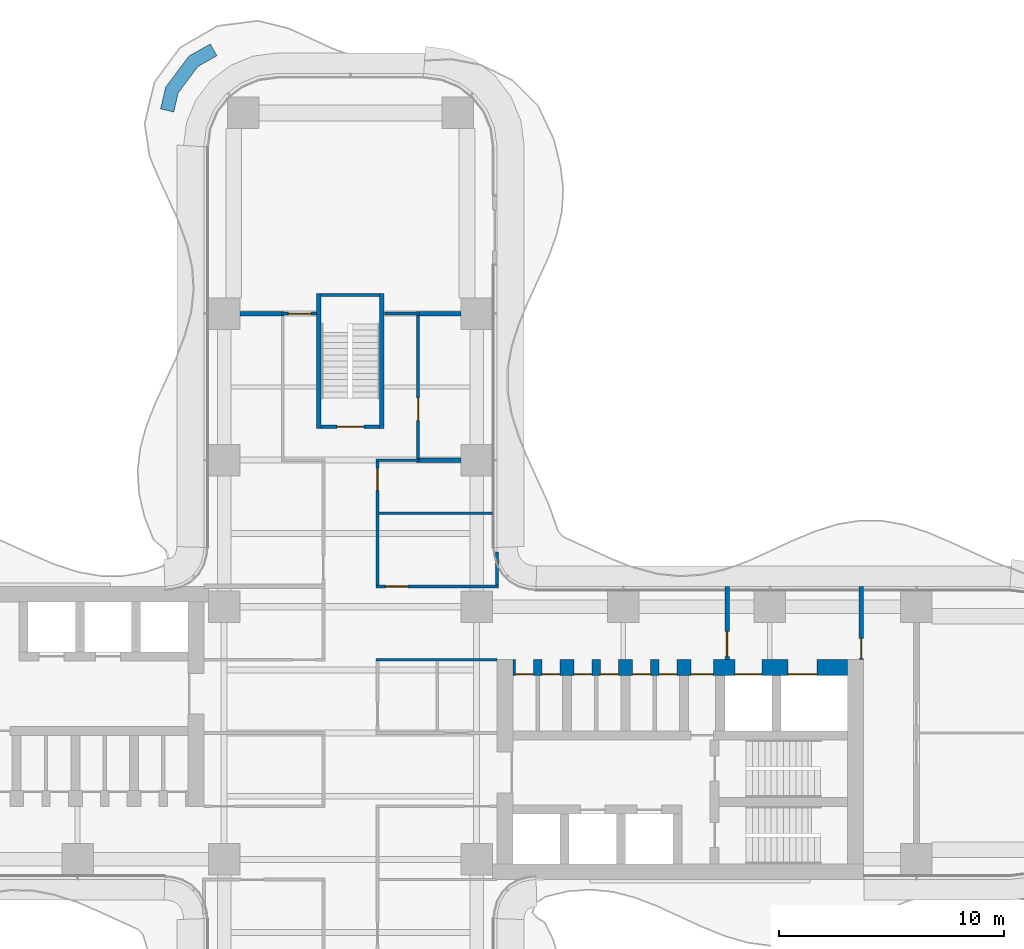
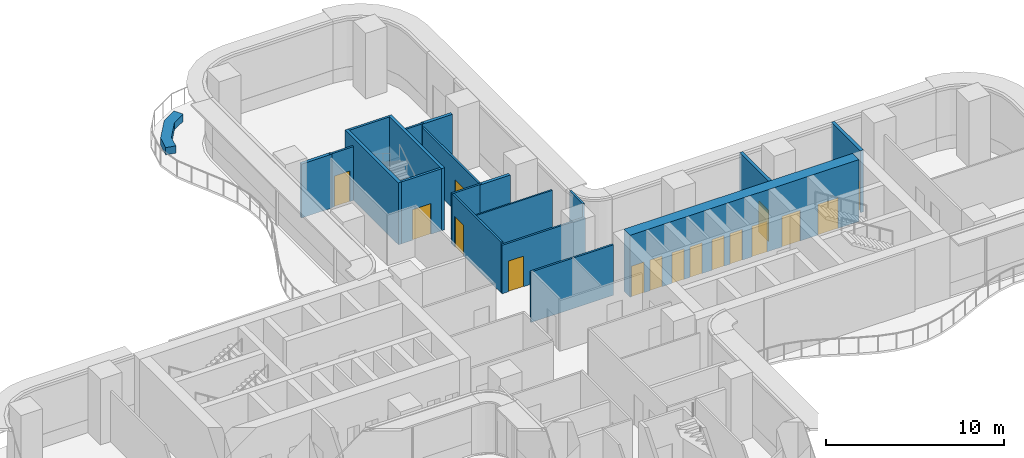
# One storey, part 19 of 22: 20 walls, 16 doors, 16 openings.
"""IFC4 building model written with IfcOpenShell, lengths in metres."""

from ifc_helpers import new_model, si_unit, direction, frame, frame_2d, origin, place, context, subcontext, project, spatial, polyline, rectangle, outline, extrude, source, transform, mapped, material, layer, layer_set, type_object, element, fill, save


model = new_model("IFC4")

# Units and contexts
model_context = context("Model", 3, precision=1e-05, world=origin(), true_north=direction((0.0, 1.0)))
body_context = subcontext(model_context, "Body", "Model", "MODEL_VIEW")
ifc_project = project(units=[si_unit("LENGTHUNIT", "METRE"), si_unit("AREAUNIT", "SQUARE_METRE"), si_unit("VOLUMEUNIT", "CUBIC_METRE"), si_unit("PLANEANGLEUNIT", "RADIAN"), si_unit("MASSUNIT", "GRAM", prefix="KILO")], contexts=[model_context])

# Site, building, storey
site_placement = place(None, origin())
site = spatial("IfcSite", under=ifc_project, at=site_placement, CompositionType="ELEMENT")
building_placement = place(site_placement, origin())
building = spatial("IfcBuilding", under=site, at=building_placement, Name="Trellis Farm Tower", CompositionType="ELEMENT")
storey_placement = place(building_placement, frame((0.0, 0.0, 47.5)))
storey = spatial("IfcBuildingStorey", under=building, at=storey_placement, Name="L09", CompositionType="ELEMENT", Elevation=47.5)

# Wall
ifc_material_1 = material(Name="Sandstone faced masonry planter", Category="masonry")
ifc_layer_1 = layer(ifc_material_1, 0.60009765625)
ifc_layer_set_1 = layer_set([ifc_layer_1], Name="PLANTER BED 600")
wall_type_1 = type_object("IfcWallType", Name="PLANTER BED 600", PredefinedType="USERDEFINED", material=ifc_layer_set_1)
wall_1_placement = place(storey_placement, origin())
element("IfcWall", 1, at=wall_1_placement, inside=storey, type_object=wall_type_1, Name="PLANTER bed", ObjectType="PLANTER", PredefinedType="USERDEFINED", context=body_context, shape_type="SweptSolid", body=[
    extrude(outline(polyline([(-7.162841796875, 30.021484375), (-6.214599609375, 30.555908203125), (-5.919921875, 30.033447265625), (-6.7578125, 29.56103515625), (-7.636474609375, 28.38427734375), (-7.83544921875, 27.54052734375), (-8.41943359375, 27.678466796875), (-8.191650390625, 28.643310546875), (-7.162841796875, 30.021484375)])), origin(), (0.0, 0.0, 1.0), 0.5),
])

# Wall, opening, door
ifc_material_2 = material(Name="Masonry blockwork", Category="masonry")
ifc_layer_2 = layer(ifc_material_2, 0.199951171875)
ifc_layer_set_2 = layer_set([ifc_layer_2], Name="FIRE LOBBY PARTITION 200 BLOCKWORK")
wall_type_2 = type_object("IfcWallType", Name="FIRE LOBBY PARTITION 200 BLOCKWORK", PredefinedType="PARTITIONING", material=ifc_layer_set_2)
shared_shape_1 = source(origin(), body_context, "Body", "SweptSolid", [
    extrude(rectangle(XDim=3.25, YDim=0.199951171875, at=frame_2d((1.625, 0.0))), origin(), (0.0, 0.0, 1.0), 4.25),
])
wall_2_placement = place(storey_placement, frame((16.699951171875, 3.25, 0.0), z_axis=(0.0, 0.0, 1.0), x_axis=(0.0, 1.0, 0.0)))
wall_2 = element("IfcWall", 2, at=wall_2_placement, inside=storey, type_object=wall_type_2, Name="Fire-fighting lobby partition", PredefinedType="PARTITIONING", context=body_context, shape_type="MappedRepresentation", body=[
    mapped(shared_shape_1, transform((0.0, 0.0, 0.0))),
])
shared_shape_2 = source(origin(), body_context, "Body", "SweptSolid", [
    extrude(rectangle(XDim=1.10009765625, YDim=2.10009765625, at=frame_2d((0.550048828125, 1.050048828125))), frame((0.0, 0.110107421875, 0.0), z_axis=(0.0, -1.0, 0.0), x_axis=(1.0, 0.0, 0.0)), (0.0, 0.0, 1.0), 0.22021484375),
])
opening_1_placement = place(wall_2_placement, frame((0.14990234375, 0.0, 0.0)))
opening_1 = element("IfcOpeningElement", 3, at=opening_1_placement, cuts=wall_2, Name="Opening DC7", PredefinedType="OPENING", context=body_context, shape_type="MappedRepresentation", body=[
    mapped(shared_shape_2, transform((0.0, 0.0, 0.0))),
])
ifc_material_3 = material(Name="Steel", Category="steel")
door_type_1 = type_object("IfcDoorType", Name="CORE FIRE DOOR 1100 X 2100", OperationType="NOTDEFINED", PredefinedType="DOOR", material=ifc_material_3)
shared_shape_3 = source(origin(), body_context, "Body", "SweptSolid", [
    extrude(rectangle(XDim=1.10009765625, YDim=2.10009765625, at=frame_2d((0.550048828125, 1.050048828125))), frame((0.0, 0.02490234375, 0.0), z_axis=(0.0, -1.0, 0.0), x_axis=(1.0, 0.0, 0.0)), (0.0, 0.0, 1.0), 0.050048828125),
])
door_1_placement = place(opening_1_placement, origin())
door_1 = element("IfcDoor", 4, at=door_1_placement, inside=storey, type_object=door_type_1, Name="Core door", OperationType="SINGLE_SWING_RIGHT", OverallHeight=2.10009765625, OverallWidth=1.10009765625, PredefinedType="DOOR", context=body_context, shape_type="MappedRepresentation", body=[
    mapped(shared_shape_3, transform((0.0, 0.0, 0.0))),
])
fill(opening_1, door_1)

wall_3_placement = place(storey_placement, frame((22.64990234375, 3.25, 0.0), z_axis=(0.0, 0.0, 1.0), x_axis=(0.0, 1.0, 0.0)))
wall_3 = element("IfcWall", 5, at=wall_3_placement, inside=storey, type_object=wall_type_2, Name="Fire-fighting lobby partition", PredefinedType="PARTITIONING", context=body_context, shape_type="MappedRepresentation", body=[
    mapped(shared_shape_1, transform((0.0, 0.0, 0.0))),
])
shared_shape_4 = source(origin(), body_context, "Body", "SweptSolid", [
    extrude(rectangle(XDim=0.89990234375, YDim=2.10009765625, at=frame_2d((0.449951171875, 1.050048828125))), frame((0.0, 0.110107421875, 0.0), z_axis=(0.0, -1.0, 0.0), x_axis=(1.0, 0.0, 0.0)), (0.0, 0.0, 1.0), 0.22021484375),
])
opening_2_placement = place(wall_3_placement, frame((0.050048828125, 0.0, 0.0)))
opening_2 = element("IfcOpeningElement", 6, at=opening_2_placement, cuts=wall_3, Name="Opening DC8", PredefinedType="OPENING", context=body_context, shape_type="MappedRepresentation", body=[
    mapped(shared_shape_4, transform((0.0, 0.0, 0.0))),
])
door_type_2 = type_object("IfcDoorType", Name="CORE FIRE DOOR 900 X 2100", OperationType="NOTDEFINED", PredefinedType="DOOR", material=ifc_material_3)
shared_shape_5 = source(origin(), body_context, "Body", "SweptSolid", [
    extrude(rectangle(XDim=0.89990234375, YDim=2.10009765625, at=frame_2d((0.449951171875, 1.050048828125))), frame((0.0, 0.02490234375, 0.0), z_axis=(0.0, -1.0, 0.0), x_axis=(1.0, 0.0, 0.0)), (0.0, 0.0, 1.0), 0.050048828125),
])
door_2_placement = place(opening_2_placement, origin())
door_2 = element("IfcDoor", 7, at=door_2_placement, inside=storey, type_object=door_type_2, Name="Core door", OperationType="SINGLE_SWING_RIGHT", OverallHeight=2.10009765625, OverallWidth=0.89990234375, PredefinedType="DOOR", context=body_context, shape_type="MappedRepresentation", body=[
    mapped(shared_shape_5, transform((0.0, 0.0, 0.0))),
])
fill(opening_2, door_2)

# Wall, openings, doors
ifc_material_4 = material(Name="Concrete C80/95", Category="concrete")
ifc_layer_3 = layer(ifc_material_4, 0.699951171875)
ifc_layer_set_3 = layer_set([ifc_layer_3], Name="CORE OUTER WALL 700 CONCRETE C80/95")
wall_type_3 = type_object("IfcWallType", Name="CORE OUTER WALL 700 CONCRETE C80/95", PredefinedType="SHEAR", material=ifc_layer_set_3)
shared_shape_6 = source(origin(), body_context, "Body", "SweptSolid", [
    extrude(rectangle(XDim=14.85009765625, YDim=0.699951171875, at=frame_2d((7.425048828125, 0.0))), origin(), (0.0, 0.0, 1.0), 4.25),
])
wall_4_placement = place(storey_placement, frame((7.199951171875, 2.89990234375, 0.0), z_axis=(0.0, 0.0, 1.0), x_axis=(1.0, 0.0, 0.0)))
wall_4 = element("IfcWall", 8, at=wall_4_placement, inside=storey, type_object=wall_type_3, Name="Core wall", PredefinedType="SHEAR", context=body_context, shape_type="MappedRepresentation", body=[
    mapped(shared_shape_6, transform((0.0, 0.0, 0.0))),
])
shared_shape_7 = source(origin(), body_context, "Body", "SweptSolid", [
    extrude(rectangle(XDim=1.300048828125, YDim=2.10009765625, at=frame_2d((0.64990234375, 1.050048828125))), frame((0.0, 0.360107421875, 0.0), z_axis=(0.0, -1.0, 0.0), x_axis=(1.0, 0.0, 0.0)), (0.0, 0.0, 1.0), 0.72021484375),
])
opening_3_placement = place(wall_4_placement, frame((12.199951171875, 0.0, 0.0)))
opening_3 = element("IfcOpeningElement", 9, at=opening_3_placement, cuts=wall_4, Name="Opening LD7", PredefinedType="OPENING", context=body_context, shape_type="MappedRepresentation", body=[
    mapped(shared_shape_7, transform((0.0, 0.0, 0.0))),
])
shared_shape_8 = source(origin(), body_context, "Body", "SweptSolid", [
    extrude(rectangle(XDim=1.199951171875, YDim=2.10009765625, at=frame_2d((0.60009765625, 1.050048828125))), frame((0.0, 0.360107421875, 0.0), z_axis=(0.0, -1.0, 0.0), x_axis=(1.0, 0.0, 0.0)), (0.0, 0.0, 1.0), 0.72021484375),
])
opening_4_placement = place(wall_4_placement, frame((9.85009765625, 0.0, 0.0)))
opening_4 = element("IfcOpeningElement", 10, at=opening_4_placement, cuts=wall_4, Name="Opening LD8", PredefinedType="OPENING", context=body_context, shape_type="MappedRepresentation", body=[
    mapped(shared_shape_8, transform((0.0, 0.0, 0.0))),
])
shared_shape_9 = source(origin(), body_context, "Body", "SweptSolid", [
    extrude(rectangle(XDim=1.0, YDim=2.10009765625, at=frame_2d((0.5, 1.050048828125))), frame((0.0, 0.360107421875, 0.0), z_axis=(0.0, -1.0, 0.0), x_axis=(1.0, 0.0, 0.0)), (0.0, 0.0, 1.0), 0.72021484375),
])
opening_5_placement = place(wall_4_placement, frame((7.89990234375, 0.0, 0.0)))
opening_5 = element("IfcOpeningElement", 11, at=opening_5_placement, cuts=wall_4, Name="Opening DC6", PredefinedType="OPENING", context=body_context, shape_type="MappedRepresentation", body=[
    mapped(shared_shape_9, transform((0.0, 0.0, 0.0))),
])
shared_shape_10 = source(origin(), body_context, "Body", "SweptSolid", [
    extrude(rectangle(XDim=0.800048828125, YDim=2.10009765625, at=frame_2d((0.39990234375, 1.050048828125))), frame((0.0, 0.360107421875, 0.0), z_axis=(0.0, -1.0, 0.0), x_axis=(1.0, 0.0, 0.0)), (0.0, 0.0, 1.0), 0.72021484375),
])
opening_6_placement = place(wall_4_placement, frame((0.112548828125, 0.0, 0.0)))
opening_6 = element("IfcOpeningElement", 12, at=opening_6_placement, cuts=wall_4, Name="Opening DC9", PredefinedType="OPENING", context=body_context, shape_type="MappedRepresentation", body=[
    mapped(shared_shape_10, transform((0.0, 0.0, 0.0))),
])
opening_7_placement = place(wall_4_placement, frame((1.28759765625, 0.0, 0.0)))
opening_7 = element("IfcOpeningElement", 13, at=opening_7_placement, cuts=wall_4, Name="Opening DC16", PredefinedType="OPENING", context=body_context, shape_type="MappedRepresentation", body=[
    mapped(shared_shape_10, transform((0.0, 0.0, 0.0))),
])
opening_8_placement = place(wall_4_placement, frame((2.71240234375, 0.0, 0.0)))
opening_8 = element("IfcOpeningElement", 14, at=opening_8_placement, cuts=wall_4, Name="Opening DC21", PredefinedType="OPENING", context=body_context, shape_type="MappedRepresentation", body=[
    mapped(shared_shape_10, transform((0.0, 0.0, 0.0))),
])
opening_9_placement = place(wall_4_placement, frame((3.887451171875, 0.0, 0.0)))
opening_9 = element("IfcOpeningElement", 15, at=opening_9_placement, cuts=wall_4, Name="Opening DC28", PredefinedType="OPENING", context=body_context, shape_type="MappedRepresentation", body=[
    mapped(shared_shape_10, transform((0.0, 0.0, 0.0))),
])
opening_10_placement = place(wall_4_placement, frame((5.3125, 0.0, 0.0)))
opening_10 = element("IfcOpeningElement", 16, at=opening_10_placement, cuts=wall_4, Name="Opening DC33", PredefinedType="OPENING", context=body_context, shape_type="MappedRepresentation", body=[
    mapped(shared_shape_10, transform((0.0, 0.0, 0.0))),
])
opening_11_placement = place(wall_4_placement, frame((6.487548828125, 0.0, 0.0)))
opening_11 = element("IfcOpeningElement", 17, at=opening_11_placement, cuts=wall_4, Name="Opening DC40", PredefinedType="OPENING", context=body_context, shape_type="MappedRepresentation", body=[
    mapped(shared_shape_10, transform((0.0, 0.0, 0.0))),
])
door_type_3 = type_object("IfcDoorType", Name="CORE FIRE DOOR 1000 X 2100", OperationType="NOTDEFINED", PredefinedType="DOOR", material=ifc_material_3)
shared_shape_11 = source(origin(), body_context, "Body", "SweptSolid", [
    extrude(rectangle(XDim=1.0, YDim=2.10009765625, at=frame_2d((0.5, 1.050048828125))), frame((0.0, -0.27490234375, 0.0), z_axis=(0.0, -1.0, 0.0), x_axis=(1.0, 0.0, 0.0)), (0.0, 0.0, 1.0), 0.050048828125),
])
door_3_placement = place(opening_5_placement, origin())
door_3 = element("IfcDoor", 18, at=door_3_placement, inside=storey, type_object=door_type_3, Name="Core door", OperationType="SINGLE_SWING_LEFT", OverallHeight=2.10009765625, OverallWidth=1.0, PredefinedType="DOOR", context=body_context, shape_type="MappedRepresentation", body=[
    mapped(shared_shape_11, transform((0.0, 0.0, 0.0))),
])
fill(opening_5, door_3)
ifc_material_5 = material(Name="Stainless steel", Category="steel")
door_type_4 = type_object("IfcDoorType", Name="LIFT LANDING DOOR 1300 X 2100", OperationType="DOUBLE_DOOR_SLIDING", PredefinedType="DOOR", material=ifc_material_5)
shared_shape_12 = source(origin(), body_context, "Body", "SweptSolid", [
    extrude(rectangle(XDim=1.300048828125, YDim=2.10009765625, at=frame_2d((0.64990234375, 1.050048828125))), frame((0.0, -0.27490234375, 0.0), z_axis=(0.0, -1.0, 0.0), x_axis=(1.0, 0.0, 0.0)), (0.0, 0.0, 1.0), 0.050048828125),
])
door_4_placement = place(opening_3_placement, origin())
door_4 = element("IfcDoor", 19, at=door_4_placement, inside=storey, type_object=door_type_4, Name="Lift landing door", OperationType="DOUBLE_DOOR_SLIDING", OverallHeight=2.10009765625, OverallWidth=1.300048828125, PredefinedType="DOOR", context=body_context, shape_type="MappedRepresentation", body=[
    mapped(shared_shape_12, transform((0.0, 0.0, 0.0))),
])
fill(opening_3, door_4)
door_type_5 = type_object("IfcDoorType", Name="LIFT LANDING DOOR 1200 X 2100", OperationType="DOUBLE_DOOR_SLIDING", PredefinedType="DOOR", material=ifc_material_5)
shared_shape_13 = source(origin(), body_context, "Body", "SweptSolid", [
    extrude(rectangle(XDim=1.199951171875, YDim=2.10009765625, at=frame_2d((0.60009765625, 1.050048828125))), frame((0.0, -0.27490234375, 0.0), z_axis=(0.0, -1.0, 0.0), x_axis=(1.0, 0.0, 0.0)), (0.0, 0.0, 1.0), 0.050048828125),
])
door_5_placement = place(opening_4_placement, origin())
door_5 = element("IfcDoor", 20, at=door_5_placement, inside=storey, type_object=door_type_5, Name="Lift landing door", OperationType="DOUBLE_DOOR_SLIDING", OverallHeight=2.10009765625, OverallWidth=1.199951171875, PredefinedType="DOOR", context=body_context, shape_type="MappedRepresentation", body=[
    mapped(shared_shape_13, transform((0.0, 0.0, 0.0))),
])
fill(opening_4, door_5)
door_type_6 = type_object("IfcDoorType", Name="CORE FIRE DOOR 800 X 2100", OperationType="NOTDEFINED", PredefinedType="DOOR", material=ifc_material_3)
shared_shape_14 = source(origin(), body_context, "Body", "SweptSolid", [
    extrude(rectangle(XDim=0.800048828125, YDim=2.10009765625, at=frame_2d((0.39990234375, 1.050048828125))), frame((0.0, -0.27490234375, 0.0), z_axis=(0.0, -1.0, 0.0), x_axis=(1.0, 0.0, 0.0)), (0.0, 0.0, 1.0), 0.050048828125),
])
door_6_placement = place(opening_6_placement, origin())
door_6 = element("IfcDoor", 21, at=door_6_placement, inside=storey, type_object=door_type_6, Name="Core door", OperationType="SINGLE_SWING_LEFT", OverallHeight=2.10009765625, OverallWidth=0.800048828125, PredefinedType="DOOR", context=body_context, shape_type="MappedRepresentation", body=[
    mapped(shared_shape_14, transform((0.0, 0.0, 0.0))),
])
fill(opening_6, door_6)
door_7_placement = place(opening_7_placement, origin())
door_7 = element("IfcDoor", 22, at=door_7_placement, inside=storey, type_object=door_type_6, Name="Core door", OperationType="SINGLE_SWING_RIGHT", OverallHeight=2.10009765625, OverallWidth=0.800048828125, PredefinedType="DOOR", context=body_context, shape_type="MappedRepresentation", body=[
    mapped(shared_shape_14, transform((0.0, 0.0, 0.0))),
])
fill(opening_7, door_7)
door_8_placement = place(opening_8_placement, origin())
door_8 = element("IfcDoor", 23, at=door_8_placement, inside=storey, type_object=door_type_6, Name="Core door", OperationType="SINGLE_SWING_LEFT", OverallHeight=2.10009765625, OverallWidth=0.800048828125, PredefinedType="DOOR", context=body_context, shape_type="MappedRepresentation", body=[
    mapped(shared_shape_14, transform((0.0, 0.0, 0.0))),
])
fill(opening_8, door_8)
door_9_placement = place(opening_9_placement, origin())
door_9 = element("IfcDoor", 24, at=door_9_placement, inside=storey, type_object=door_type_6, Name="Core door", OperationType="SINGLE_SWING_RIGHT", OverallHeight=2.10009765625, OverallWidth=0.800048828125, PredefinedType="DOOR", context=body_context, shape_type="MappedRepresentation", body=[
    mapped(shared_shape_14, transform((0.0, 0.0, 0.0))),
])
fill(opening_9, door_9)
door_10_placement = place(opening_10_placement, origin())
door_10 = element("IfcDoor", 25, at=door_10_placement, inside=storey, type_object=door_type_6, Name="Core door", OperationType="SINGLE_SWING_LEFT", OverallHeight=2.10009765625, OverallWidth=0.800048828125, PredefinedType="DOOR", context=body_context, shape_type="MappedRepresentation", body=[
    mapped(shared_shape_14, transform((0.0, 0.0, 0.0))),
])
fill(opening_10, door_10)
door_11_placement = place(opening_11_placement, origin())
door_11 = element("IfcDoor", 26, at=door_11_placement, inside=storey, type_object=door_type_6, Name="Core door", OperationType="SINGLE_SWING_RIGHT", OverallHeight=2.10009765625, OverallWidth=0.800048828125, PredefinedType="DOOR", context=body_context, shape_type="MappedRepresentation", body=[
    mapped(shared_shape_14, transform((0.0, 0.0, 0.0))),
])
fill(opening_11, door_11)

# Walls
ifc_layer_4 = layer(ifc_material_4, 0.199951171875)
ifc_layer_set_4 = layer_set([ifc_layer_4], Name="CORE STAIR ENCLOSURE WALL 200 CONCRETE C80/95")
wall_type_4 = type_object("IfcWallType", Name="CORE STAIR ENCLOSURE WALL 200 CONCRETE C80/95", PredefinedType="SHEAR", material=ifc_layer_set_4)
shared_shape_15 = source(origin(), body_context, "Body", "SweptSolid", [
    extrude(rectangle(XDim=6.0, YDim=0.199951171875, at=frame_2d((3.0, 0.0))), origin(), (0.0, 0.0, 1.0), 4.25),
])
for number, where, z_axis, x_axis, name in (
    (27, (-1.39990234375, 13.5, 0.0), (0.0, 0.0, 1.0), (0.0, 1.0, 0.0), "Stair enclosure wall"),
    (28, (1.39990234375, 13.5, 0.0), (0.0, 0.0, 1.0), (0.0, 1.0, 0.0), "Stair enclosure wall"),
):
    element("IfcWall", number, at=place(storey_placement, frame(where, z_axis=z_axis, x_axis=x_axis)), inside=storey, type_object=wall_type_4, Name=name, PredefinedType="SHEAR", context=body_context, shape_type="MappedRepresentation", body=[
        mapped(shared_shape_15, transform((0.0, 0.0, 0.0))),
    ])

# Wall, opening, door
ifc_layer_5 = layer(ifc_material_4, 0.14990234375)
ifc_layer_set_5 = layer_set([ifc_layer_5], Name="CORE STAIR ENCLOSURE WALL 150 CONCRETE C80/95")
wall_type_5 = type_object("IfcWallType", Name="CORE STAIR ENCLOSURE WALL 150 CONCRETE C80/95", PredefinedType="SHEAR", material=ifc_layer_set_5)
shared_shape_16 = source(origin(), body_context, "Body", "SweptSolid", [
    extrude(rectangle(XDim=2.60009765625, YDim=0.14990234375, at=frame_2d((1.300048828125, 0.0))), origin(), (0.0, 0.0, 1.0), 4.25),
])
wall_5_placement = place(storey_placement, frame((-1.300048828125, 13.574951171875, 0.0), z_axis=(0.0, 0.0, 1.0), x_axis=(1.0, 0.0, 0.0)))
wall_5 = element("IfcWall", 29, at=wall_5_placement, inside=storey, type_object=wall_type_5, Name="Stair enclosure wall", PredefinedType="SHEAR", context=body_context, shape_type="MappedRepresentation", body=[
    mapped(shared_shape_16, transform((0.0, 0.0, 0.0))),
])
shared_shape_17 = source(origin(), body_context, "Body", "SweptSolid", [
    extrude(rectangle(XDim=1.199951171875, YDim=2.10009765625, at=frame_2d((0.60009765625, 1.050048828125))), frame((0.0, 0.0849609375, 0.0), z_axis=(0.0, -1.0, 0.0), x_axis=(1.0, 0.0, 0.0)), (0.0, 0.0, 1.0), 0.169921875),
])
opening_12_placement = place(wall_5_placement, frame((0.699951171875, 0.0, 0.0)))
opening_12 = element("IfcOpeningElement", 30, at=opening_12_placement, cuts=wall_5, Name="Opening DC173", PredefinedType="OPENING", context=body_context, shape_type="MappedRepresentation", body=[
    mapped(shared_shape_17, transform((0.0, 0.0, 0.0))),
])
door_type_7 = type_object("IfcDoorType", Name="CORE FIRE DOOR 1200 X 2100", OperationType="NOTDEFINED", PredefinedType="DOOR", material=ifc_material_3)
shared_shape_18 = source(origin(), body_context, "Body", "SweptSolid", [
    extrude(rectangle(XDim=1.199951171875, YDim=2.10009765625, at=frame_2d((0.60009765625, 1.050048828125))), frame((0.0, 0.02490234375, 0.0), z_axis=(0.0, -1.0, 0.0), x_axis=(1.0, 0.0, 0.0)), (0.0, 0.0, 1.0), 0.050048828125),
])
door_12_placement = place(opening_12_placement, origin())
door_12 = element("IfcDoor", 31, at=door_12_placement, inside=storey, type_object=door_type_7, Name="Core door", OperationType="SINGLE_SWING_LEFT", OverallHeight=2.10009765625, OverallWidth=1.199951171875, PredefinedType="DOOR", context=body_context, shape_type="MappedRepresentation", body=[
    mapped(shared_shape_18, transform((0.0, 0.0, 0.0))),
])
fill(opening_12, door_12)

# Wall
wall_6_placement = place(storey_placement, frame((-1.300048828125, 19.425048828125, 0.0), z_axis=(0.0, 0.0, 1.0), x_axis=(1.0, 0.0, 0.0)))
element("IfcWall", 32, at=wall_6_placement, inside=storey, type_object=wall_type_5, Name="Stair enclosure wall", PredefinedType="SHEAR", context=body_context, shape_type="MappedRepresentation", body=[
    mapped(shared_shape_16, transform((0.0, 0.0, 0.0))),
])

# Wall, opening, door
ifc_material_6 = material(Name="Plasterboard on steel studs, mineral wool", Category="steel")
ifc_layer_6 = layer(ifc_material_6, 0.125)
ifc_layer_set_6 = layer_set([ifc_layer_6], Name="PARTITION 125 STUD EI 60")
wall_type_6 = type_object("IfcWallType", Name="PARTITION 125 STUD EI 60", PredefinedType="PARTITIONING", material=ifc_layer_set_6)
shared_shape_19 = source(origin(), body_context, "Body", "SweptSolid", [
    extrude(rectangle(XDim=5.47509765625, YDim=0.125, at=frame_2d((2.737548828125, 0.0))), origin(), (0.0, 0.0, 1.0), 3.4677734375),
])
wall_7_placement = place(storey_placement, frame((1.199951171875, 12.03759765625, 0.0), z_axis=(0.0, 0.0, 1.0), x_axis=(0.0, -1.0, 0.0)))
wall_7 = element("IfcWall", 33, at=wall_7_placement, inside=storey, type_object=wall_type_6, Name="Partition PW1", PredefinedType="PARTITIONING", context=body_context, shape_type="MappedRepresentation", body=[
    mapped(shared_shape_19, transform((0.0, 0.0, 0.0))),
])
shared_shape_20 = source(origin(), body_context, "Body", "SweptSolid", [
    extrude(rectangle(XDim=1.0, YDim=2.10009765625, at=frame_2d((0.5, 1.050048828125))), frame((0.0, 0.072509765625, 0.0), z_axis=(0.0, -1.0, 0.0), x_axis=(1.0, 0.0, 0.0)), (0.0, 0.0, 1.0), 0.14501953125),
])
opening_13_placement = place(wall_7_placement, frame((0.28759765625, 0.0, 0.0)))
opening_13 = element("IfcOpeningElement", 34, at=opening_13_placement, cuts=wall_7, Name="Opening D114", PredefinedType="OPENING", context=body_context, shape_type="MappedRepresentation", body=[
    mapped(shared_shape_20, transform((0.0, 0.0, 0.0))),
])
ifc_material_7 = material(Name="Fire-rated timber door leaf in a hollow metal frame", Category="wood")
door_type_8 = type_object("IfcDoorType", Name="DOOR 1000x2100 FD30S", OperationType="NOTDEFINED", PredefinedType="DOOR", material=ifc_material_7)
shared_shape_21 = source(origin(), body_context, "Body", "SweptSolid", [
    extrude(rectangle(XDim=1.0, YDim=2.10009765625, at=frame_2d((0.5, 1.050048828125))), frame((0.0, 0.02490234375, 0.0), z_axis=(0.0, -1.0, 0.0), x_axis=(1.0, 0.0, 0.0)), (0.0, 0.0, 1.0), 0.050048828125),
])
door_13_placement = place(opening_13_placement, origin())
door_13 = element("IfcDoor", 35, at=door_13_placement, inside=storey, type_object=door_type_8, Name="Door D114", OperationType="SINGLE_SWING_LEFT", OverallHeight=2.10009765625, OverallWidth=1.0, PredefinedType="DOOR", context=body_context, shape_type="MappedRepresentation", body=[
    mapped(shared_shape_21, transform((0.0, 0.0, 0.0))),
])
fill(opening_13, door_13)

# Wall
shared_shape_22 = source(origin(), body_context, "Body", "SweptSolid", [
    extrude(rectangle(XDim=1.468994140625, YDim=0.125, at=frame_2d((0.734375, 0.0))), origin(), (0.0, 0.0, 1.0), 4.25),
])
wall_8_placement = place(storey_placement, frame((6.5, 6.5625, 0.0), z_axis=(0.0, 0.0, 1.0), x_axis=(0.0, 1.0, 0.0)))
element("IfcWall", 36, at=wall_8_placement, inside=storey, type_object=wall_type_6, Name="Partition PW1", PredefinedType="PARTITIONING", context=body_context, shape_type="MappedRepresentation", body=[
    mapped(shared_shape_22, transform((0.0, 0.0, 0.0))),
])

# Wall, opening, door
shared_shape_23 = source(origin(), body_context, "Body", "SweptSolid", [
    extrude(rectangle(XDim=1.5625, YDim=0.125, at=frame_2d((0.78125, 0.0))), origin(), (0.0, 0.0, 1.0), 3.69677734375),
])
wall_9_placement = place(storey_placement, frame((-3.0625, 18.60009765625, 0.0), z_axis=(0.0, 0.0, 1.0), x_axis=(1.0, 0.0, 0.0)))
wall_9 = element("IfcWall", 37, at=wall_9_placement, inside=storey, type_object=wall_type_6, Name="Partition PW1", PredefinedType="PARTITIONING", context=body_context, shape_type="MappedRepresentation", body=[
    mapped(shared_shape_23, transform((0.0, 0.0, 0.0))),
])
opening_14_placement = place(wall_9_placement, frame((0.3125, 0.0, 0.0)))
opening_14 = element("IfcOpeningElement", 38, at=opening_14_placement, cuts=wall_9, Name="Opening D116", PredefinedType="OPENING", context=body_context, shape_type="MappedRepresentation", body=[
    mapped(shared_shape_20, transform((0.0, 0.0, 0.0))),
])
door_14_placement = place(opening_14_placement, origin())
door_14 = element("IfcDoor", 39, at=door_14_placement, inside=storey, type_object=door_type_8, Name="Door D116", OperationType="SINGLE_SWING_RIGHT", OverallHeight=2.10009765625, OverallWidth=1.0, PredefinedType="DOOR", context=body_context, shape_type="MappedRepresentation", body=[
    mapped(shared_shape_21, transform((0.0, 0.0, 0.0))),
])
fill(opening_14, door_14)

# Walls
wall_10_placement = place(storey_placement, frame((1.5, 18.60009765625, 0.0), z_axis=(0.0, 0.0, 1.0), x_axis=(1.0, 0.0, 0.0)))
element("IfcWall", 40, at=wall_10_placement, inside=storey, type_object=wall_type_6, Name="Partition PW1", PredefinedType="PARTITIONING", context=body_context, shape_type="MappedRepresentation", body=[
    mapped(shared_shape_23, transform((0.0, 0.0, 0.0))),
])
shared_shape_24 = source(origin(), body_context, "Body", "SweptSolid", [
    extrude(rectangle(XDim=1.925048828125, YDim=0.125, at=frame_2d((0.96240234375, 0.0))), origin(), (0.0, 0.0, 1.0), 3.4677734375),
])
wall_11_placement = place(storey_placement, frame((3.0625, 12.10009765625, 0.0), z_axis=(0.0, 0.0, 1.0), x_axis=(-1.0, 0.0, 0.0)))
element("IfcWall", 41, at=wall_11_placement, inside=storey, type_object=wall_type_6, Name="Partition PW1", PredefinedType="PARTITIONING", context=body_context, shape_type="MappedRepresentation", body=[
    mapped(shared_shape_24, transform((0.0, 0.0, 0.0))),
])
shared_shape_25 = source(origin(), body_context, "Body", "SweptSolid", [
    extrude(rectangle(XDim=5.362548828125, YDim=0.125, at=frame_2d((2.68115234375, 0.0))), origin(), (0.0, 0.0, 1.0), 3.4677734375),
])
wall_12_placement = place(storey_placement, frame((1.137451171875, 3.25, 0.0), z_axis=(0.0, 0.0, 1.0), x_axis=(1.0, 0.0, 0.0)))
element("IfcWall", 42, at=wall_12_placement, inside=storey, type_object=wall_type_6, Name="Partition PW1", PredefinedType="PARTITIONING", context=body_context, shape_type="MappedRepresentation", body=[
    mapped(shared_shape_25, transform((0.0, 0.0, 0.0))),
])

# Wall, opening, door
shared_shape_26 = source(origin(), body_context, "Body", "SweptSolid", [
    extrude(rectangle(XDim=5.425048828125, YDim=0.125, at=frame_2d((2.71240234375, 0.0))), origin(), (0.0, 0.0, 1.0), 3.330078125),
])
wall_13_placement = place(storey_placement, frame((1.137451171875, 6.5, 0.0), z_axis=(0.0, 0.0, 1.0), x_axis=(1.0, 0.0, 0.0)))
wall_13 = element("IfcWall", 43, at=wall_13_placement, inside=storey, type_object=wall_type_6, Name="Partition PW1", PredefinedType="PARTITIONING", context=body_context, shape_type="MappedRepresentation", body=[
    mapped(shared_shape_26, transform((0.0, 0.0, 0.0))),
])
opening_15_placement = place(wall_13_placement, frame((0.41259765625, 0.0, 0.0)))
opening_15 = element("IfcOpeningElement", 44, at=opening_15_placement, cuts=wall_13, Name="Opening D113", PredefinedType="OPENING", context=body_context, shape_type="MappedRepresentation", body=[
    mapped(shared_shape_20, transform((0.0, 0.0, 0.0))),
])
door_15_placement = place(opening_15_placement, origin())
door_15 = element("IfcDoor", 45, at=door_15_placement, inside=storey, type_object=door_type_8, Name="Door D113", OperationType="SINGLE_SWING_LEFT", OverallHeight=2.10009765625, OverallWidth=1.0, PredefinedType="DOOR", context=body_context, shape_type="MappedRepresentation", body=[
    mapped(shared_shape_21, transform((0.0, 0.0, 0.0))),
])
fill(opening_15, door_15)

# Wall
ifc_material_8 = material(Name="Lightweight blockwork, plastered", Category="masonry")
ifc_layer_7 = layer(ifc_material_8, 0.199951171875)
ifc_layer_set_7 = layer_set([ifc_layer_7], Name="BLOCK WALL 200 EI 120")
wall_type_7 = type_object("IfcWallType", Name="BLOCK WALL 200 EI 120", PredefinedType="PARTITIONING", material=ifc_layer_set_7)
shared_shape_27 = source(origin(), body_context, "Body", "SweptSolid", [
    extrude(rectangle(XDim=1.96240234375, YDim=0.199951171875, at=frame_2d((0.981201171875, 0.0))), origin(), (0.0, 0.0, 1.0), 3.4677734375),
])
wall_14_placement = place(storey_placement, frame((2.9375, 12.10009765625, 0.0), z_axis=(0.0, 0.0, 1.0), x_axis=(1.0, 0.0, 0.0)))
element("IfcWall", 46, at=wall_14_placement, inside=storey, type_object=wall_type_7, Name="Partition PW3", PredefinedType="PARTITIONING", context=body_context, shape_type="MappedRepresentation", body=[
    mapped(shared_shape_27, transform((0.0, 0.0, 0.0))),
])

# Wall, opening, door
shared_shape_28 = source(origin(), body_context, "Body", "SweptSolid", [
    extrude(rectangle(XDim=6.300048828125, YDim=0.125, at=frame_2d((3.14990234375, 0.0))), origin(), (0.0, 0.0, 1.0), 3.4677734375),
])
wall_15_placement = place(storey_placement, frame((3.0, 18.5, 0.0), z_axis=(0.0, 0.0, 1.0), x_axis=(0.0, -1.0, 0.0)))
wall_15 = element("IfcWall", 47, at=wall_15_placement, inside=storey, type_object=wall_type_6, Name="Partition PW1", PredefinedType="PARTITIONING", context=body_context, shape_type="MappedRepresentation", body=[
    mapped(shared_shape_28, transform((0.0, 0.0, 0.0))),
])
opening_16_placement = place(wall_15_placement, frame((3.64990234375, 0.0, 0.0)))
opening_16 = element("IfcOpeningElement", 48, at=opening_16_placement, cuts=wall_15, Name="Opening D115", PredefinedType="OPENING", context=body_context, shape_type="MappedRepresentation", body=[
    mapped(shared_shape_20, transform((0.0, 0.0, 0.0))),
])
door_16_placement = place(opening_16_placement, origin())
door_16 = element("IfcDoor", 49, at=door_16_placement, inside=storey, type_object=door_type_8, Name="Door D115", OperationType="SINGLE_SWING_RIGHT", OverallHeight=2.10009765625, OverallWidth=1.0, PredefinedType="DOOR", context=body_context, shape_type="MappedRepresentation", body=[
    mapped(shared_shape_21, transform((0.0, 0.0, 0.0))),
])
fill(opening_16, door_16)

# Walls
shared_shape_29 = source(origin(), body_context, "Body", "SweptSolid", [
    extrude(rectangle(XDim=1.96240234375, YDim=0.199951171875, at=frame_2d((0.981201171875, 0.0))), origin(), (0.0, 0.0, 1.0), 3.69677734375),
])
for number, where, z_axis, x_axis, name in (
    (50, (-4.89990234375, 18.60009765625, 0.0), (0.0, 0.0, 1.0), (1.0, 0.0, 0.0), "Partition PW3"),
    (51, (2.9375, 18.60009765625, 0.0), (0.0, 0.0, 1.0), (1.0, 0.0, 0.0), "Partition PW3"),
):
    element("IfcWall", number, at=place(storey_placement, frame(where, z_axis=z_axis, x_axis=x_axis)), inside=storey, type_object=wall_type_7, Name=name, PredefinedType="PARTITIONING", context=body_context, shape_type="MappedRepresentation", body=[
        mapped(shared_shape_29, transform((0.0, 0.0, 0.0))),
    ])
ifc_material_9 = material(Name="Plasterboard on steel studs", Category="steel")
ifc_layer_8 = layer(ifc_material_9, 0.10009765625)
ifc_layer_set_8 = layer_set([ifc_layer_8], Name="PARTITION 100 STUD EI 30")
wall_type_8 = type_object("IfcWallType", Name="PARTITION 100 STUD EI 30", PredefinedType="PARTITIONING", material=ifc_layer_set_8)
shared_shape_30 = source(origin(), body_context, "Body", "SweptSolid", [
    extrude(rectangle(XDim=5.03759765625, YDim=0.10009765625, at=frame_2d((2.518798828125, 0.0))), origin(), (0.0, 0.0, 1.0), 3.330078125),
])
wall_16_placement = place(storey_placement, frame((1.262451171875, 9.75, 0.0), z_axis=(0.0, 0.0, 1.0), x_axis=(1.0, 0.0, 0.0)))
element("IfcWall", 52, at=wall_16_placement, inside=storey, type_object=wall_type_8, Name="Partition PW2", PredefinedType="PARTITIONING", context=body_context, shape_type="MappedRepresentation", body=[
    mapped(shared_shape_30, transform((0.0, 0.0, 0.0))),
])

save(model, "model.ifc")
